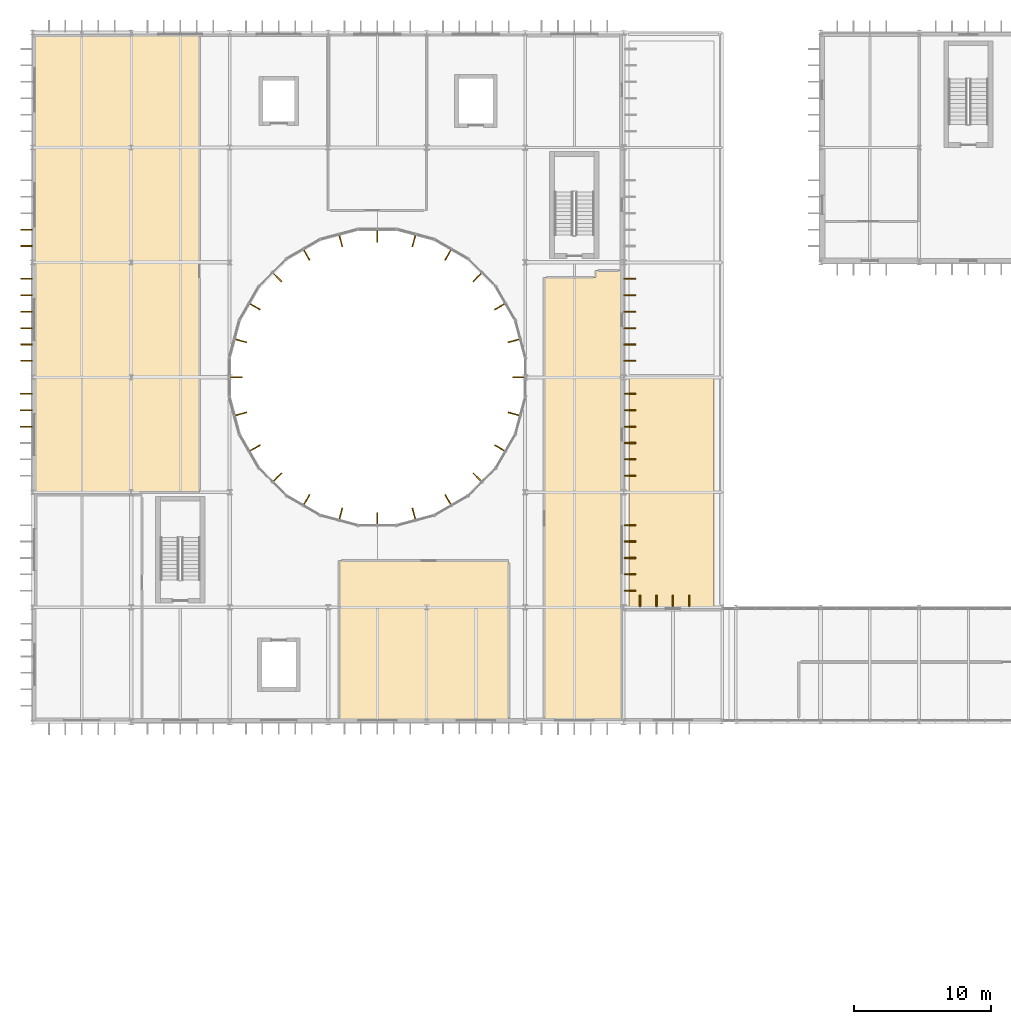
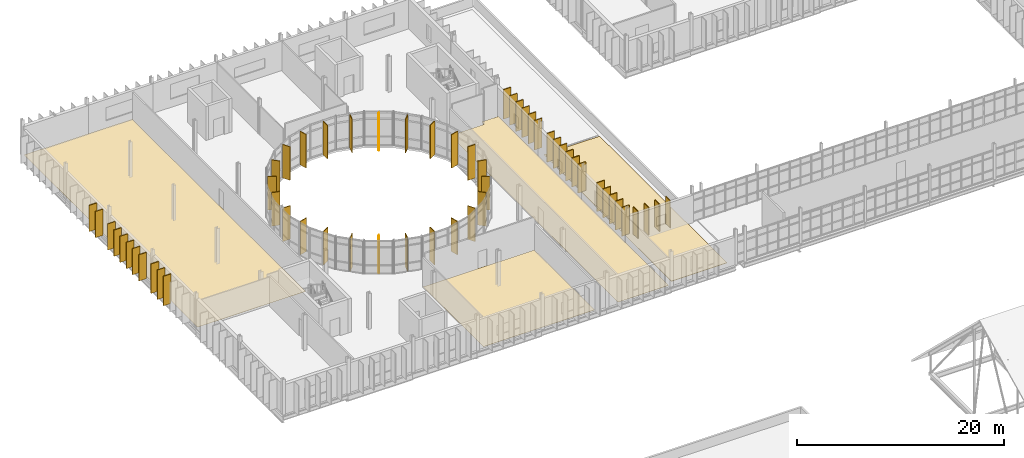
# One storey, part 91 of 99: 56 shading devices, 4 coverings.
"""IFC4 building model written with IfcOpenShell, lengths in metres."""

import ifcopenshell
import ifcopenshell.guid

model = None  # the IFC model being written
_history = None  # IfcOwnerHistory: only IFC2X3 demands one
_inside = {}  # id of a spatial element -> (the spatial element, [elements in it])
_under = {}  # id of a project, library or spatial element -> (it, [spatial elements below it])
_declared = {}  # id of a project -> (the project, [libraries it declares])
_typed = {}  # id of a type object -> (the type object, [elements of that type])
_made_of = {}  # id of a material, layer set ... -> (it, [elements and type objects made of it])


def new_model(schema):
    """Start an empty IFC model of exactly this schema.

    Asked for "IFC4X3", IfcOpenShell would pick the latest addendum, in which some entities
    have other attributes; the version numbers below select the first issue.
    IFC2X3 requires an IfcOwnerHistory on every rooted entity: one is made here for all.
    """
    global model, _history
    if schema == "IFC4X3":
        model = ifcopenshell.file(schema_version=(4, 3, 0, 0))
    else:
        model = ifcopenshell.file(schema=schema)
    _inside.clear()
    _under.clear()
    _declared.clear()
    _typed.clear()
    _made_of.clear()
    _history = None
    if model.schema == "IFC2X3":
        org = make("IfcOrganization", Name="unknown")
        user = make(
            "IfcPersonAndOrganization",
            ThePerson=make("IfcPerson", FamilyName="unknown"),
            TheOrganization=org,
        )
        app = make(
            "IfcApplication",
            ApplicationDeveloper=org,
            Version="unknown",
            ApplicationFullName="unknown",
            ApplicationIdentifier="unknown",
        )
        _history = make(
            "IfcOwnerHistory",
            OwningUser=user,
            OwningApplication=app,
            ChangeAction="ADDED",
            CreationDate=0,
        )
    return model


def make(cls, **values):
    """One entity of the class cls with the attributes given. An attribute that is None is left unset."""
    return model.create_entity(
        cls, **{name: value for name, value in values.items() if value is not None}
    )


def rooted(cls, **values):
    """An entity with a GlobalId (a new one), such as an element, a storey or a relation."""
    return make(cls, GlobalId=ifcopenshell.guid.new(), OwnerHistory=_history, **values)


def si_unit(unit_type, name, prefix=None):
    """IfcSIUnit, for example si_unit("LENGTHUNIT", "METRE", prefix="MILLI")."""
    return make("IfcSIUnit", UnitType=unit_type, Prefix=prefix, Name=name)


def assignment(units):
    """IfcUnitAssignment: the units of a project."""
    return None if units is None else make("IfcUnitAssignment", Units=units)


def point(xyz):
    """IfcCartesianPoint."""
    return None if xyz is None else make("IfcCartesianPoint", Coordinates=xyz)


def direction(xyz):
    """IfcDirection."""
    return None if xyz is None else make("IfcDirection", DirectionRatios=xyz)


def frame(location, z_axis=None, x_axis=None):
    """IfcAxis2Placement3D, a coordinate frame: its origin and axes. An axis left out is left unset."""
    return make(
        "IfcAxis2Placement3D",
        Location=point(location),
        Axis=direction(z_axis),
        RefDirection=direction(x_axis),
    )


def frame_2d(location, x_axis=None):
    """IfcAxis2Placement2D, a coordinate frame in the plane: its origin and x axis."""
    return make(
        "IfcAxis2Placement2D", Location=point(location), RefDirection=direction(x_axis)
    )


def origin():
    """The frame at (0, 0, 0) with its axes left unset."""
    return frame((0.0, 0.0, 0.0))


def origin_2d():
    """The frame at (0, 0) in the plane with its x axis left unset."""
    return frame_2d((0.0, 0.0))


def place(relative_to, where):
    """IfcLocalPlacement: puts the frame where relative to a parent placement (None: the world)."""
    return make(
        "IfcLocalPlacement", PlacementRelTo=relative_to, RelativePlacement=where
    )


def context(
    kind, dimensions, precision=None, world=None, true_north=None, identifier=None
):
    """IfcGeometricRepresentationContext, for example the 3D "Model" context."""
    return make(
        "IfcGeometricRepresentationContext",
        ContextIdentifier=identifier,
        ContextType=kind,
        CoordinateSpaceDimension=dimensions,
        Precision=precision,
        WorldCoordinateSystem=world,
        TrueNorth=true_north,
    )


def subcontext(parent, identifier, kind, view, scale=None):
    """IfcGeometricRepresentationSubContext, for example "Body" below "Model"."""
    return make(
        "IfcGeometricRepresentationSubContext",
        ContextIdentifier=identifier,
        ContextType=kind,
        ParentContext=parent,
        TargetScale=scale,
        TargetView=view,
    )


def project(units=None, contexts=None):
    """IfcProject with its units and contexts."""
    return rooted(
        "IfcProject",
        Name="project",
        RepresentationContexts=contexts,
        UnitsInContext=assignment(units),
    )


def spatial(cls, under=None, at=None, **own):
    """A site, building, storey or space (cls), placed at a placement, below another one or the project."""
    s = rooted(cls, ObjectPlacement=at, **own)
    if under is not None:
        _under.setdefault(under.id(), (under, []))[1].append(s)
    return s


def polyline(points):
    """IfcPolyline through the points."""
    return make("IfcPolyline", Points=[point(p) for p in points])


def profile(cls, at=None, kind="AREA", **sizes):
    """A parametric profile (cls). Its sizes go by their IFC names, for example OverallWidth=200.0."""
    return make(cls, ProfileType=kind, Position=at, **sizes)


def rectangle(**sizes):
    """IfcRectangleProfileDef."""
    return profile("IfcRectangleProfileDef", **sizes)


def outline(outer, holes=None, kind="AREA"):
    """IfcArbitraryClosedProfileDef: a profile drawn as a closed curve; with holes, ...WithVoids."""
    if holes is None:
        return make("IfcArbitraryClosedProfileDef", ProfileType=kind, OuterCurve=outer)
    return make(
        "IfcArbitraryProfileDefWithVoids",
        ProfileType=kind,
        OuterCurve=outer,
        InnerCurves=holes,
    )


def extrude(swept, where, along, depth):
    """IfcExtrudedAreaSolid: the profile swept, set in the frame where, extruded along a direction by depth."""
    return make(
        "IfcExtrudedAreaSolid",
        SweptArea=swept,
        Position=where,
        ExtrudedDirection=direction(along),
        Depth=depth,
    )


def shape(context_of_items, identifier, shape_type, items):
    """IfcShapeRepresentation: the items that make up one representation, for example the "Body"."""
    return make(
        "IfcShapeRepresentation",
        ContextOfItems=context_of_items,
        RepresentationIdentifier=identifier,
        RepresentationType=shape_type,
        Items=items,
    )


def material(Name=None, Category=None):
    """IfcMaterial."""
    return make("IfcMaterial", Name=Name, Category=Category)


def layer(
    of_material, thickness, ventilated=None, Name=None, Category=None, Priority=None
):
    """IfcMaterialLayer: one layer of a wall or slab, of a material (None: an air gap)."""
    return make(
        "IfcMaterialLayer",
        Material=of_material,
        LayerThickness=thickness,
        IsVentilated=ventilated,
        Name=Name,
        Category=Category,
        Priority=Priority,
    )


def layer_set(layers, Name=None):
    """IfcMaterialLayerSet."""
    return make("IfcMaterialLayerSet", MaterialLayers=layers, LayerSetName=Name)


def made_of(thing, what):
    """Note that an element or type object is made of a material, layer set ...; save() writes the relation."""
    if what is not None:
        _made_of.setdefault(what.id(), (what, []))[1].append(thing)
    return thing


def type_object(cls, material=None, **own):
    """A type object (cls), such as IfcWallType, which elements share."""
    return made_of(rooted(cls, **own), material)


def element(
    cls,
    number,
    at=None,
    inside=None,
    cuts=None,
    type_object=None,
    material=None,
    context=None,
    identifier="Body",
    shape_type=None,
    held_by="IfcProductDefinitionShape",
    body=None,
    shapes=None,
    **own,
):
    """One element of the class cls, such as IfcWall. Its Tag is "e" and its number.

    at: its placement. inside: the storey or other place that contains it. cuts: it is an
    opening in that element (IfcRelVoidsElement). A single representation is given by context,
    identifier, shape_type and body (its items); several are given by shapes. held_by: the class
    of the entity that holds the representations. save() writes the other relations.
    """
    e = rooted(cls, Tag="e%d" % number, ObjectPlacement=at, **own)
    if body is not None:
        shapes = [shape(context, identifier, shape_type, body)]
    if shapes is not None:
        e.Representation = make(held_by, Representations=shapes)
    if inside is not None:
        _inside.setdefault(inside.id(), (inside, []))[1].append(e)
    if cuts is not None:
        rooted(
            "IfcRelVoidsElement", RelatingBuildingElement=cuts, RelatedOpeningElement=e
        )
    if type_object is not None:
        _typed.setdefault(type_object.id(), (type_object, []))[1].append(e)
    return made_of(e, material)


def aggregate(whole, parts):
    """IfcRelAggregates: a whole, such as a stair, and the parts it consists of."""
    return rooted("IfcRelAggregates", RelatingObject=whole, RelatedObjects=parts)


def save(model, path):
    """Write the relations noted so far, then the file.

    IfcRelAggregates (storeys below a building ...), IfcRelContainedInSpatialStructure (elements
    in a storey), IfcRelDefinesByType, IfcRelAssociatesMaterial and IfcRelDeclares: one each for
    every whole, place, type object, material and project.
    """
    for whole, parts in _under.values():
        aggregate(whole, parts)
    for where, things in _inside.values():
        rooted(
            "IfcRelContainedInSpatialStructure",
            RelatedElements=things,
            RelatingStructure=where,
        )
    for kind, things in _typed.values():
        rooted("IfcRelDefinesByType", RelatedObjects=things, RelatingType=kind)
    for what, things in _made_of.values():
        rooted("IfcRelAssociatesMaterial", RelatedObjects=things, RelatingMaterial=what)
    for by, libraries in _declared.values():
        rooted("IfcRelDeclares", RelatingContext=by, RelatedDefinitions=libraries)
    model.write(path)


model = new_model("IFC4")

# Units and contexts
model_context = context("Model", 3, precision=1e-05, world=origin(), true_north=direction((0.0, 1.0)))
body_context = subcontext(model_context, "Body", "Model", "MODEL_VIEW")
ifc_project = project(units=[si_unit("LENGTHUNIT", "METRE"), si_unit("AREAUNIT", "SQUARE_METRE"), si_unit("VOLUMEUNIT", "CUBIC_METRE"), si_unit("PLANEANGLEUNIT", "RADIAN"), si_unit("MASSUNIT", "GRAM", prefix="KILO")], contexts=[model_context])

# Site, building, storey
site_placement = place(None, origin())
site = spatial("IfcSite", under=ifc_project, at=site_placement, CompositionType="ELEMENT")
building_placement = place(site_placement, origin())
building = spatial("IfcBuilding", under=site, at=building_placement, Name="Qelthora Terrace Specialist Clinic", CompositionType="ELEMENT")
storey_placement = place(building_placement, frame((0.0, 0.0, 9.0)))
storey = spatial("IfcBuildingStorey", under=building, at=storey_placement, Name="L02", CompositionType="ELEMENT", Elevation=9.0)

# Coverings
ifc_material_1 = material(Name="Antimicrobial clinical linoleum flooring", Category="other")
ifc_layer_1 = layer(ifc_material_1, 0.011962890625)
ifc_layer_set_1 = layer_set([ifc_layer_1], Name="Antimicrobial clinical linoleum flooring")
covering_type_1 = type_object("IfcCoveringType", Name="COV-FLR-LINO-12", PredefinedType="FLOORING", material=ifc_layer_set_1)
covering_1_placement = place(storey_placement, origin())
element("IfcCovering", 1, at=covering_1_placement, inside=storey, type_object=covering_type_1, Name="Daylight Oncology Infusion West Suite L02-51 resilient linoleum flooring", PredefinedType="FLOORING", context=body_context, shape_type="SweptSolid", body=[
    extrude(outline(polyline([(12.199951171875, 75.60009765625), (0.14990234375, 75.60009765625), (0.14990234375, 109.070068359375), (12.199951171875, 109.070068359375), (12.199951171875, 75.60009765625)])), origin(), (0.0, 0.0, 1.0), 0.011962890625),
])
covering_2_placement = place(storey_placement, origin())
element("IfcCovering", 2, at=covering_2_placement, inside=storey, type_object=covering_type_1, Name="Private Isolation Infusion Rooms L02-52 resilient linoleum flooring", PredefinedType="FLOORING", context=body_context, shape_type="SweptSolid", body=[
    extrude(outline(polyline([(41.159912109375, 91.31494140625), (41.159912109375, 91.800048828125), (43.050048828125, 91.800048828125), (43.050048828125, 58.949951171875), (37.39990234375, 58.949951171875), (37.39990234375, 91.31494140625), (41.159912109375, 91.31494140625)])), origin(), (0.0, 0.0, 1.0), 0.011962890625),
])
covering_3_placement = place(storey_placement, origin())
element("IfcCovering", 3, at=covering_3_placement, inside=storey, type_object=covering_type_1, Name="Infusion Pharmacy Satellite Prep L02-54 resilient linoleum flooring", PredefinedType="FLOORING", context=body_context, shape_type="SweptSolid", body=[
    extrude(outline(polyline([(22.39990234375, 58.949951171875), (22.39990234375, 70.60009765625), (34.800048828125, 70.60009765625), (34.800048828125, 58.949951171875), (22.39990234375, 58.949951171875)])), origin(), (0.0, 0.0, 1.0), 0.011962890625),
])
ifc_material_2 = material(Name="Standing-seam titanium-zinc", Category="metals")
ifc_layer_2 = layer(ifc_material_2, 0.0400390625)
ifc_layer_set_2 = layer_set([ifc_layer_2], Name="Standing-seam titanium-zinc")
covering_type_2 = type_object("IfcCoveringType", Name="COV-ROOF-ZINC", PredefinedType="ROOFING", material=ifc_layer_set_2)
covering_4_placement = place(storey_placement, origin())
element("IfcCovering", 4, at=covering_4_placement, inside=storey, type_object=covering_type_2, Name="Standing-seam zinc roof covering RCOV-L02-07", PredefinedType="ROOFING", context=body_context, shape_type="SweptSolid", body=[
    extrude(outline(polyline([(43.60009765625, 59.39990234375), (49.800048828125, 59.39990234375), (49.800048828125, 84.0), (43.60009765625, 84.0), (43.60009765625, 59.39990234375)])), origin(), (0.0, 0.0, 1.0), 0.0400390625),
])

# Shading devices
ifc_material_3 = material(Name="Glulam timber GL28h", Category="wood")
shading_device_type = type_object("IfcShadingDeviceType", Name="SHD-FIN-850", PredefinedType="USERDEFINED", material=ifc_material_3)
for number, where, z_axis, x_axis, name in (
    (5, (35.1611328125, 86.669189453125, 0.0), (0.0, 0.0, 1.0), (-0.965925826289, -0.258819045103, 0.0), "Court solar fin FIN-0129"),
    (6, (34.130859375, 89.15625, 0.0), (0.0, 0.0, 1.0), (-0.866025403784, -0.5, 0.0), "Court solar fin FIN-0130"),
    (7, (32.4921875, 91.292236328125, 0.0), (0.0, 0.0, 1.0), (-0.707106781187, -0.707106781187, 0.0), "Court solar fin FIN-0131"),
    (8, (30.356201171875, 92.930908203125, 0.0), (0.0, 0.0, 1.0), (-0.5, -0.866025403784, 0.0), "Court solar fin FIN-0132"),
    (9, (27.869140625, 93.961181640625, 0.0), (0.0, 0.0, 1.0), (-0.258819045103, -0.965925826289, 0.0), "Court solar fin FIN-0133"),
    (10, (25.199951171875, 94.3125, 0.0), (0.0, 0.0, 1.0), (0.0, -1.0, 0.0), "Court solar fin FIN-0134"),
    (11, (22.531005859375, 93.961181640625, 0.0), (0.0, 0.0, 1.0), (0.258819045103, -0.965925826289, 0.0), "Court solar fin FIN-0135"),
    (12, (20.043701171875, 92.930908203125, 0.0), (0.0, 0.0, 1.0), (0.5, -0.866025403784, 0.0), "Court solar fin FIN-0136"),
    (13, (17.907958984375, 91.292236328125, 0.0), (0.0, 0.0, 1.0), (0.707106781187, -0.707106781187, 0.0), "Court solar fin FIN-0137"),
    (14, (16.26904296875, 89.15625, 0.0), (0.0, 0.0, 1.0), (0.866025403784, -0.5, 0.0), "Court solar fin FIN-0138"),
    (15, (15.23876953125, 86.669189453125, 0.0), (0.0, 0.0, 1.0), (0.965925826289, -0.258819045103, 0.0), "Court solar fin FIN-0139"),
    (16, (14.887451171875, 84.0, 0.0), (0.0, 0.0, 1.0), (1.0, 0.0, 0.0), "Court solar fin FIN-0140"),
    (17, (15.23876953125, 81.330810546875, 0.0), (0.0, 0.0, 1.0), (0.965925826289, 0.258819045103, 0.0), "Court solar fin FIN-0141"),
    (18, (16.26904296875, 78.84375, 0.0), (0.0, 0.0, 1.0), (0.866025403784, 0.5, 0.0), "Court solar fin FIN-0142"),
    (19, (17.907958984375, 76.707763671875, 0.0), (0.0, 0.0, 1.0), (0.707106781187, 0.707106781187, 0.0), "Court solar fin FIN-0143"),
    (20, (20.043701171875, 75.069091796875, 0.0), (0.0, 0.0, 1.0), (0.5, 0.866025403784, 0.0), "Court solar fin FIN-0144"),
    (21, (22.531005859375, 74.038818359375, 0.0), (0.0, 0.0, 1.0), (0.258819045103, 0.965925826289, 0.0), "Court solar fin FIN-0145"),
    (22, (25.199951171875, 73.6875, 0.0), (0.0, 0.0, 1.0), (0.0, 1.0, 0.0), "Court solar fin FIN-0146"),
    (23, (27.869140625, 74.038818359375, 0.0), (0.0, 0.0, 1.0), (-0.258819045103, 0.965925826289, 0.0), "Court solar fin FIN-0147"),
    (24, (30.356201171875, 75.069091796875, 0.0), (0.0, 0.0, 1.0), (-0.5, 0.866025403784, 0.0), "Court solar fin FIN-0148"),
    (25, (32.4921875, 76.707763671875, 0.0), (0.0, 0.0, 1.0), (-0.707106781187, 0.707106781187, 0.0), "Court solar fin FIN-0149"),
    (26, (34.130859375, 78.84375, 0.0), (0.0, 0.0, 1.0), (-0.866025403784, 0.5, 0.0), "Court solar fin FIN-0150"),
    (27, (35.1611328125, 81.330810546875, 0.0), (0.0, 0.0, 1.0), (-0.965925826289, 0.258819045103, 0.0), "Court solar fin FIN-0151"),
    (28, (35.5126953125, 84.0, 0.0), (0.0, 0.0, 1.0), (-1.0, 0.0, 0.0), "Court solar fin FIN-0152"),
):
    element("IfcShadingDevice", number, at=place(storey_placement, frame(where, z_axis=z_axis, x_axis=x_axis)), inside=storey, type_object=shading_device_type, Name=name, ObjectType="FIN", PredefinedType="USERDEFINED", context=body_context, shape_type="SweptSolid", body=[
        extrude(rectangle(XDim=0.85009765625, YDim=0.080078125, at=origin_2d()), origin(), (0.0, 0.0, 1.0), 3.945068359375),
    ])
for number, where, z_axis, x_axis, name in (
    (29, (-0.465087890625, 80.39990234375, 0.0), (0.0, 0.0, 1.0), (-1.0, 0.0, 0.0), "Exterior solar shading fin FIN-1092"),
    (30, (-0.465087890625, 81.60009765625, 0.0), (0.0, 0.0, 1.0), (-1.0, 0.0, 0.0), "Exterior solar shading fin FIN-1093"),
    (31, (-0.465087890625, 82.800048828125, 0.0), (0.0, 0.0, 1.0), (-1.0, 0.0, 0.0), "Exterior solar shading fin FIN-1094"),
):
    element("IfcShadingDevice", number, at=place(storey_placement, frame(where, z_axis=z_axis, x_axis=x_axis)), inside=storey, type_object=shading_device_type, Name=name, ObjectType="FIN", PredefinedType="USERDEFINED", context=body_context, shape_type="SweptSolid", body=[
        extrude(rectangle(XDim=0.85009765625, YDim=0.080078125, at=origin_2d()), origin(), (0.0, 0.0, 1.0), 3.48193359375),
    ])
for number, where, z_axis, x_axis, name in (
    (32, (-0.455078125, 85.199951171875, 0.0), (0.0, 0.0, 1.0), (-1.0, 0.0, 0.0), "Exterior solar shading fin FIN-1095"),
    (33, (-0.455078125, 86.39990234375, 0.0), (0.0, 0.0, 1.0), (-1.0, 0.0, 0.0), "Exterior solar shading fin FIN-1096"),
    (34, (-0.455078125, 87.60009765625, 0.0), (0.0, 0.0, 1.0), (-1.0, 0.0, 0.0), "Exterior solar shading fin FIN-1097"),
    (35, (-0.455078125, 88.800048828125, 0.0), (0.0, 0.0, 1.0), (-1.0, 0.0, 0.0), "Exterior solar shading fin FIN-1098"),
    (36, (-0.455078125, 90.0, 0.0), (0.0, 0.0, 1.0), (-1.0, 0.0, 0.0), "Exterior solar shading fin FIN-1099"),
    (37, (-0.455078125, 91.199951171875, 0.0), (0.0, 0.0, 1.0), (-1.0, 0.0, 0.0), "Exterior solar shading fin FIN-1100"),
    (38, (-0.445068359375, 93.60009765625, 0.0), (0.0, 0.0, 1.0), (-1.0, 0.0, 0.0), "Exterior solar shading fin FIN-1101"),
    (39, (-0.445068359375, 94.800048828125, 0.0), (0.0, 0.0, 1.0), (-1.0, 0.0, 0.0), "Exterior solar shading fin FIN-1102"),
):
    element("IfcShadingDevice", number, at=place(storey_placement, frame(where, z_axis=z_axis, x_axis=x_axis)), inside=storey, type_object=shading_device_type, Name=name, ObjectType="FIN", PredefinedType="USERDEFINED", context=body_context, shape_type="SweptSolid", body=[
        extrude(rectangle(XDim=0.85009765625, YDim=0.080078125, at=origin_2d()), origin(), (0.0, 0.0, 1.0), 3.091064453125),
    ])
for number, where, z_axis, x_axis, name in (
    (40, (43.6650390625, 68.39990234375, 0.0), (0.0, 0.0, 1.0), (1.0, 0.0, 0.0), "Exterior solar shading fin FIN-1142"),
    (41, (43.6650390625, 69.60009765625, 0.0), (0.0, 0.0, 1.0), (1.0, 0.0, 0.0), "Exterior solar shading fin FIN-1143"),
    (42, (43.6650390625, 70.800048828125, 0.0), (0.0, 0.0, 1.0), (1.0, 0.0, 0.0), "Exterior solar shading fin FIN-1144"),
    (43, (43.6650390625, 72.0, 0.0), (0.0, 0.0, 1.0), (1.0, 0.0, 0.0), "Exterior solar shading fin FIN-1145"),
    (44, (43.6650390625, 73.199951171875, 0.0), (0.0, 0.0, 1.0), (1.0, 0.0, 0.0), "Exterior solar shading fin FIN-1146"),
):
    element("IfcShadingDevice", number, at=place(storey_placement, frame(where, z_axis=z_axis, x_axis=x_axis)), inside=storey, type_object=shading_device_type, Name=name, ObjectType="FIN", PredefinedType="USERDEFINED", context=body_context, shape_type="SweptSolid", body=[
        extrude(rectangle(XDim=0.85009765625, YDim=0.080078125, at=origin_2d()), origin(), (0.0, 0.0, 1.0), 3.39794921875),
    ])
for number, where, z_axis, x_axis, name in (
    (45, (43.655029296875, 76.800048828125, 0.0), (0.0, 0.0, 1.0), (1.0, 0.0, 0.0), "Exterior solar shading fin FIN-1147"),
    (46, (43.655029296875, 78.0, 0.0), (0.0, 0.0, 1.0), (1.0, 0.0, 0.0), "Exterior solar shading fin FIN-1148"),
    (47, (43.655029296875, 79.199951171875, 0.0), (0.0, 0.0, 1.0), (1.0, 0.0, 0.0), "Exterior solar shading fin FIN-1149"),
    (48, (43.655029296875, 80.39990234375, 0.0), (0.0, 0.0, 1.0), (1.0, 0.0, 0.0), "Exterior solar shading fin FIN-1150"),
    (49, (43.655029296875, 81.60009765625, 0.0), (0.0, 0.0, 1.0), (1.0, 0.0, 0.0), "Exterior solar shading fin FIN-1151"),
    (50, (43.655029296875, 82.800048828125, 0.0), (0.0, 0.0, 1.0), (1.0, 0.0, 0.0), "Exterior solar shading fin FIN-1152"),
):
    element("IfcShadingDevice", number, at=place(storey_placement, frame(where, z_axis=z_axis, x_axis=x_axis)), inside=storey, type_object=shading_device_type, Name=name, ObjectType="FIN", PredefinedType="USERDEFINED", context=body_context, shape_type="SweptSolid", body=[
        extrude(rectangle(XDim=0.85009765625, YDim=0.080078125, at=origin_2d()), origin(), (0.0, 0.0, 1.0), 3.405029296875),
    ])
for number, where, z_axis, x_axis, name in (
    (51, (43.64501953125, 85.199951171875, 0.0), (0.0, 0.0, 1.0), (1.0, 0.0, 0.0), "Exterior solar shading fin FIN-1153"),
    (52, (43.64501953125, 86.39990234375, 0.0), (0.0, 0.0, 1.0), (1.0, 0.0, 0.0), "Exterior solar shading fin FIN-1154"),
    (53, (43.64501953125, 87.60009765625, 0.0), (0.0, 0.0, 1.0), (1.0, 0.0, 0.0), "Exterior solar shading fin FIN-1155"),
    (54, (43.64501953125, 88.800048828125, 0.0), (0.0, 0.0, 1.0), (1.0, 0.0, 0.0), "Exterior solar shading fin FIN-1156"),
    (55, (43.64501953125, 90.0, 0.0), (0.0, 0.0, 1.0), (1.0, 0.0, 0.0), "Exterior solar shading fin FIN-1157"),
    (56, (43.64501953125, 91.199951171875, 0.0), (0.0, 0.0, 1.0), (1.0, 0.0, 0.0), "Exterior solar shading fin FIN-1158"),
):
    element("IfcShadingDevice", number, at=place(storey_placement, frame(where, z_axis=z_axis, x_axis=x_axis)), inside=storey, type_object=shading_device_type, Name=name, ObjectType="FIN", PredefinedType="USERDEFINED", context=body_context, shape_type="SweptSolid", body=[
        extrude(rectangle(XDim=0.85009765625, YDim=0.080078125, at=origin_2d()), origin(), (0.0, 0.0, 1.0), 3.47607421875),
    ])
for number, where, z_axis, x_axis, name in (
    (57, (44.39990234375, 67.6650390625, 0.0), (0.0, 0.0, 1.0), (0.0, 1.0, 0.0), "Exterior solar shading fin FIN-1170"),
    (58, (45.60009765625, 67.6650390625, 0.0), (0.0, 0.0, 1.0), (0.0, 1.0, 0.0), "Exterior solar shading fin FIN-1171"),
    (59, (46.800048828125, 67.6650390625, 0.0), (0.0, 0.0, 1.0), (0.0, 1.0, 0.0), "Exterior solar shading fin FIN-1172"),
    (60, (48.0, 67.6650390625, 0.0), (0.0, 0.0, 1.0), (0.0, 1.0, 0.0), "Exterior solar shading fin FIN-1173"),
):
    element("IfcShadingDevice", number, at=place(storey_placement, frame(where, z_axis=z_axis, x_axis=x_axis)), inside=storey, type_object=shading_device_type, Name=name, ObjectType="FIN", PredefinedType="USERDEFINED", context=body_context, shape_type="SweptSolid", body=[
        extrude(rectangle(XDim=0.85009765625, YDim=0.080078125, at=origin_2d()), origin(), (0.0, 0.0, 1.0), 3.25390625),
    ])

save(model, "model.ifc")
